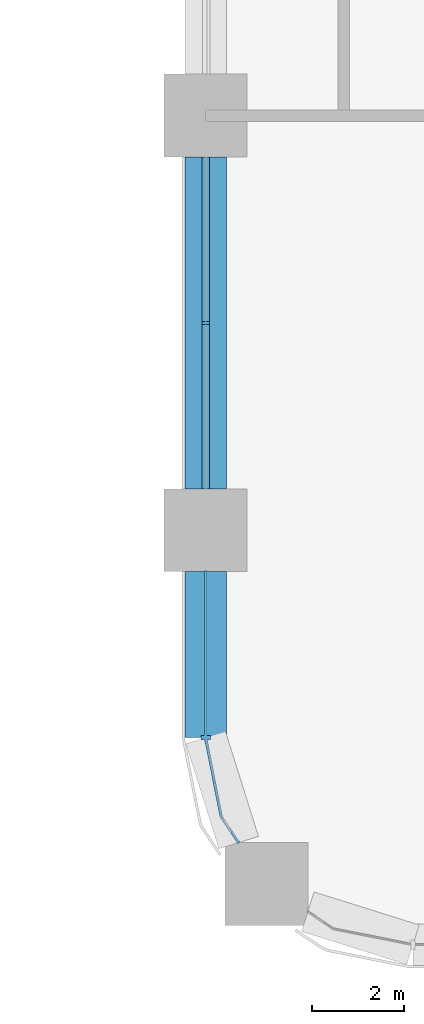
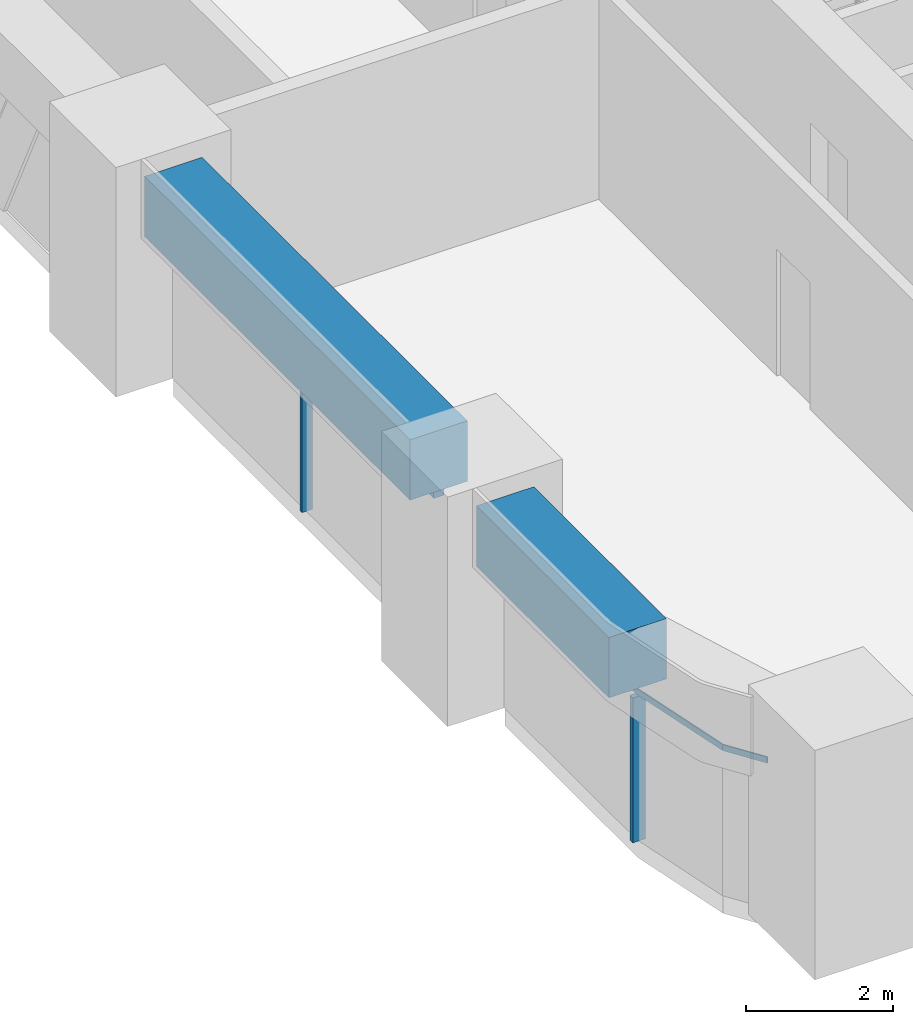
# One storey, part 2 of 18: 4 members, 2 beams, 2 elements without a shape of their own.
"""IFC4 building model written with IfcOpenShell, lengths in metres."""

from ifc_helpers import new_model, si_unit, direction, frame, origin, origin_2d, place, context, subcontext, project, spatial, polyline, rectangle, outline, extrude, material, material_profile, profile_set, type_object, element, aggregate, save


model = new_model("IFC4")

# Units and contexts
model_context = context("Model", 3, precision=1e-05, world=origin(), true_north=direction((0.0, 1.0)))
body_context = subcontext(model_context, "Body", "Model", "MODEL_VIEW")
ifc_project = project(units=[si_unit("LENGTHUNIT", "METRE"), si_unit("AREAUNIT", "SQUARE_METRE"), si_unit("VOLUMEUNIT", "CUBIC_METRE"), si_unit("PLANEANGLEUNIT", "RADIAN"), si_unit("MASSUNIT", "GRAM", prefix="KILO")], contexts=[model_context])

# Site, building, storey
site_placement = place(None, origin())
site = spatial("IfcSite", under=ifc_project, at=site_placement, CompositionType="ELEMENT")
building_placement = place(site_placement, origin())
building = spatial("IfcBuilding", under=site, at=building_placement, Name="Tessera Arch", CompositionType="ELEMENT")
storey_placement = place(building_placement, frame((0.0, 0.0, 115.800048828125)))
storey = spatial("IfcBuildingStorey", under=building, at=storey_placement, Name="L27", CompositionType="ELEMENT", Elevation=115.800048828125)

# Curtain wall, members
ifc_material_1 = material(Name="CW1 curtain wall")
curtain_wall_type_1 = type_object("IfcCurtainWallType", Name="CW1 curtain wall", PredefinedType="NOTDEFINED", material=ifc_material_1)
curtain_wall_1_placement = place(storey_placement, origin())
curtain_wall_1 = element("IfcCurtainWall", 1, at=curtain_wall_1_placement, inside=storey, type_object=curtain_wall_type_1, Name="CW1 curtain wall W27.0/1 L27", PredefinedType="NOTDEFINED")
ifc_material_2 = material(Name="Anodised aluminium pale metal", Category="aluminium")
ifc_material_profile_1 = material_profile(ifc_material_2, rectangle(XDim=0.159912109375, YDim=0.06005859375, at=origin_2d()), Name="AL 60x160")
ifc_profile_set_1 = profile_set([ifc_material_profile_1], Name="Anodised aluminium pale metal")
member_type_1 = type_object("IfcMemberType", Name="CW1 mullion", PredefinedType="MULLION", material=ifc_profile_set_1)
member_1_placement = place(storey_placement, frame((27.0, 13.5, 0.0), z_axis=(0.0, 0.0, 1.0), x_axis=(1.0, 0.0, 0.0)))
member_1 = element("IfcMember", 2, at=member_1_placement, type_object=member_type_1, Name="CW1 mullion W27.0/1 1", PredefinedType="MULLION", context=body_context, shape_type="SweptSolid", body=[
    extrude(rectangle(XDim=0.159912109375, YDim=0.06005859375, at=origin_2d()), origin(), (0.0, 0.0, 1.0), 2.39990234375),
])
ifc_material_3 = material(Name="Anodised aluminium pale metal", Category="aluminium")
ifc_material_profile_2 = material_profile(ifc_material_3, rectangle(XDim=0.159912109375, YDim=0.10009765625, at=origin_2d()), Name="AL 160x100")
ifc_profile_set_2 = profile_set([ifc_material_profile_2], Name="Anodised aluminium pale metal")
member_type_2 = type_object("IfcMemberType", Name="CW1 transom", PredefinedType="USERDEFINED", material=ifc_profile_set_2)
member_2_placement = place(storey_placement, frame((27.0, 17.10009765625, 2.449951171875), z_axis=(0.0, -1.0, 0.0), x_axis=(1.0, 0.0, 0.0)))
member_2 = element("IfcMember", 3, at=member_2_placement, type_object=member_type_2, Name="CW1 transom W27.0/1 1.1", ObjectType="TRANSOM", PredefinedType="USERDEFINED", context=body_context, shape_type="SweptSolid", body=[
    extrude(rectangle(XDim=0.159912109375, YDim=0.10009765625, at=origin_2d()), origin(), (0.0, 0.0, 1.0), 7.2001953125),
])
aggregate(curtain_wall_1, [member_1, member_2])

ifc_material_4 = material(Name="CW2 curtain wall")
curtain_wall_type_2 = type_object("IfcCurtainWallType", Name="CW2 curtain wall", PredefinedType="NOTDEFINED", material=ifc_material_4)
curtain_wall_2_placement = place(storey_placement, origin())
curtain_wall_2 = element("IfcCurtainWall", 4, at=curtain_wall_2_placement, inside=storey, type_object=curtain_wall_type_2, Name="CW2 curtain wall W27.0/2 L27", PredefinedType="NOTDEFINED")
ifc_material_5 = material(Name="Anodised aluminium pale metal", Category="aluminium")
ifc_material_profile_3 = material_profile(ifc_material_5, rectangle(XDim=0.199951171875, YDim=0.080078125, at=origin_2d()), Name="AL 80x200")
ifc_profile_set_3 = profile_set([ifc_material_profile_3], Name="Anodised aluminium pale metal")
member_type_3 = type_object("IfcMemberType", Name="CW2 mullion", PredefinedType="MULLION", material=ifc_profile_set_3)
member_3_placement = place(storey_placement, frame((27.0, 4.5, 0.0), z_axis=(0.0, 0.0, 1.0), x_axis=(1.0, 0.0, 0.0)))
member_3 = element("IfcMember", 5, at=member_3_placement, type_object=member_type_3, Name="CW2 mullion W27.0/2 1", PredefinedType="MULLION", context=body_context, shape_type="SweptSolid", body=[
    extrude(rectangle(XDim=0.199951171875, YDim=0.080078125, at=origin_2d()), origin(), (0.0, 0.0, 1.0), 2.39990234375),
])
ifc_material_6 = material(Name="Anodised aluminium pale metal", Category="aluminium")
ifc_material_profile_4 = material_profile(ifc_material_6, rectangle(XDim=0.199951171875, YDim=0.10009765625, at=origin_2d()), Name="AL 200x100")
ifc_profile_set_4 = profile_set([ifc_material_profile_4], Name="Anodised aluminium pale metal")
member_type_4 = type_object("IfcMemberType", Name="CW2 transom", PredefinedType="USERDEFINED", material=ifc_profile_set_4)
member_4_placement = place(storey_placement, frame((0.0, 0.0, 2.39990234375)))
member_4 = element("IfcMember", 6, at=member_4_placement, type_object=member_type_4, Name="CW2 transom W27.0/2 1", ObjectType="TRANSOM", PredefinedType="USERDEFINED", context=body_context, shape_type="SweptSolid", body=[
    extrude(outline(polyline([(27.010009765625, 4.5009765625), (27.010009765625, 8.10009765625), (26.989990234375, 8.10009765625), (26.989990234375, 4.4990234375), (27.3330078125, 2.77392578125), (27.70849609375, 2.21240234375), (27.72509765625, 2.2236328125), (27.351806640625, 2.78173828125), (27.010009765625, 4.5009765625)])), origin(), (0.0, 0.0, 1.0), 0.10009765625),
])
aggregate(curtain_wall_2, [member_3, member_4])

# Beams
ifc_material_7 = material(Name="Concrete C80/95", Category="concrete")
ifc_material_profile_5 = material_profile(ifc_material_7, rectangle(XDim=0.89990234375, YDim=1.0, at=origin_2d()), Name="RC spandrel beam 900 x 1000 Concrete C80/95")
ifc_profile_set_5 = profile_set([ifc_material_profile_5], Name="Concrete C80/95")
beam_type = type_object("IfcBeamType", Name="RC spandrel beam 900 x 1000 Concrete C80/95", PredefinedType="BEAM", material=ifc_profile_set_5)
beam_1_placement = place(storey_placement, frame((27.0, 17.10009765625, 3.0), z_axis=(0.0, -1.0, 0.0), x_axis=(1.0, 0.0, 0.0)))
element("IfcBeam", 7, at=beam_1_placement, inside=storey, type_object=beam_type, Name="Spandrel beam L27 W27.0/1", PredefinedType="BEAM", context=body_context, shape_type="SweptSolid", body=[
    extrude(rectangle(XDim=0.89990234375, YDim=1.0, at=origin_2d()), origin(), (0.0, 0.0, 1.0), 7.2001953125),
])
beam_2_placement = place(storey_placement, frame((27.0, 8.10009765625, 3.0), z_axis=(0.0, -1.0, 0.0), x_axis=(1.0, 0.0, 0.0)))
element("IfcBeam", 8, at=beam_2_placement, inside=storey, type_object=beam_type, Name="Spandrel beam L27 W27.0/2.1", PredefinedType="BEAM", context=body_context, shape_type="SweptSolid", body=[
    extrude(rectangle(XDim=0.89990234375, YDim=1.0, at=origin_2d()), origin(), (0.0, 0.0, 1.0), 3.60009765625),
])

save(model, "model.ifc")
